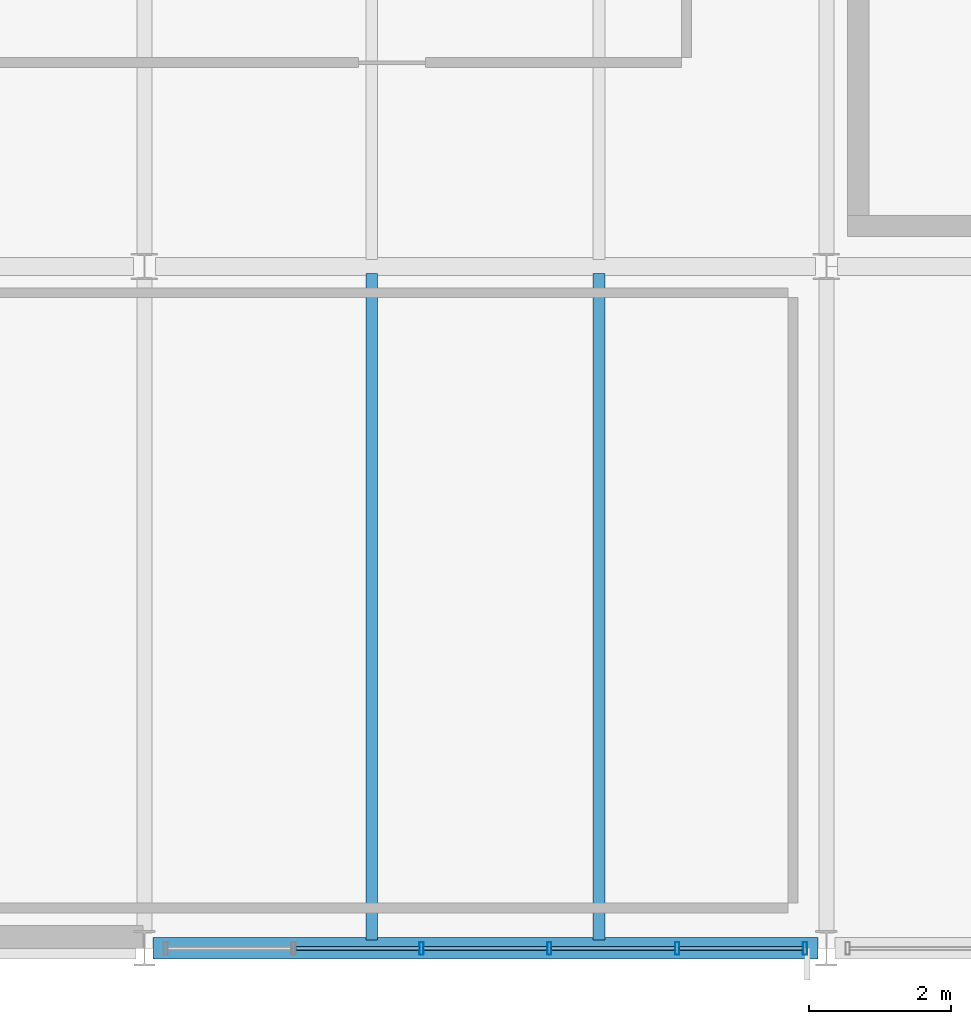
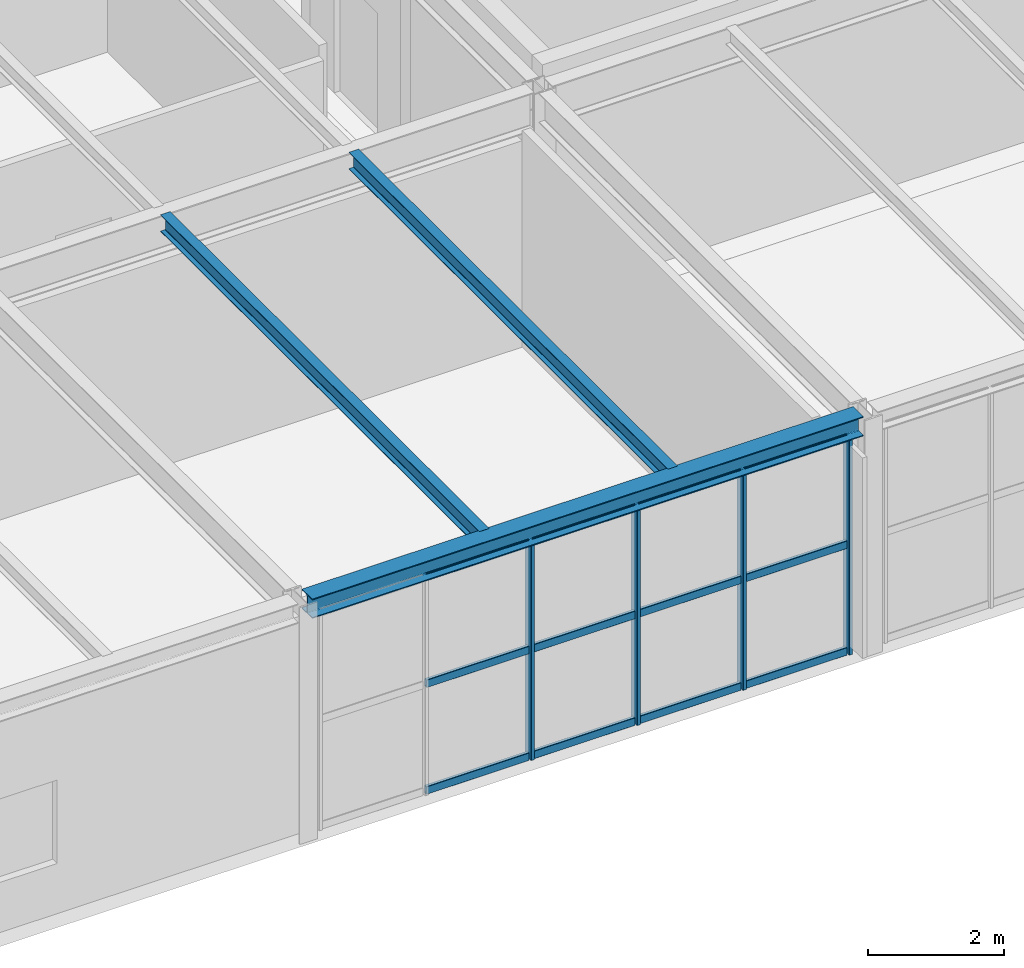
# One storey, part 30 of 170: 16 members, 3 beams, 1 element without a shape of its own.
"""IFC4 building model written with IfcOpenShell, lengths in metres."""

from ifc_helpers import new_model, si_unit, direction, frame, origin, origin_2d, place, context, subcontext, project, spatial, hollow_rectangle, i_section, extrude, material, material_profile, profile_set, type_object, element, aggregate, save


model = new_model("IFC4")

# Units and contexts
model_context = context("Model", 3, precision=1e-05, world=origin(), true_north=direction((0.0, 1.0)))
body_context = subcontext(model_context, "Body", "Model", "MODEL_VIEW")
ifc_project = project(units=[si_unit("LENGTHUNIT", "METRE"), si_unit("AREAUNIT", "SQUARE_METRE"), si_unit("VOLUMEUNIT", "CUBIC_METRE"), si_unit("PLANEANGLEUNIT", "RADIAN"), si_unit("MASSUNIT", "GRAM", prefix="KILO")], contexts=[model_context])

# Site, building, storey
site_placement = place(None, origin())
site = spatial("IfcSite", under=ifc_project, at=site_placement, CompositionType="ELEMENT")
building_placement = place(site_placement, origin())
building = spatial("IfcBuilding", under=site, at=building_placement, Name="Coralgate Yard Interchange", CompositionType="ELEMENT")
storey_placement = place(building_placement, frame((0.0, 0.0, 6.0)))
storey = spatial("IfcBuildingStorey", under=building, at=storey_placement, Name="L01", CompositionType="ELEMENT", Elevation=6.0)

# Beams
ifc_material_1 = material(Name="Structural steel S355J2", Category="steel")
ifc_material_profile_1 = material_profile(ifc_material_1, i_section(OverallWidth=0.1650390625, OverallDepth=0.303466796875, WebThickness=0.006103515625, FlangeThickness=0.01025390625, FilletRadius=0.0087890625, at=origin_2d()), Name="UB 305x165x40")
ifc_profile_set_1 = profile_set([ifc_material_profile_1], Name="Structural steel S355J2")
beam_type_1 = type_object("IfcBeamType", Name="BM-SJ-1", PredefinedType="JOIST", material=ifc_profile_set_1)
for number, where, z_axis, x_axis, name in (
    (1, (41.60009765625, 0.1201171875, 4.098388671875), (0.0, 1.0, 0.0), (-1.0, 0.0, 0.0), "L01 composite floor joist 4-0-1"),
    (2, (44.800048828125, 0.1201171875, 4.098388671875), (0.0, 1.0, 0.0), (-1.0, 0.0, 0.0), "L01 composite floor joist 4-0-2"),
):
    element("IfcBeam", number, at=place(storey_placement, frame(where, z_axis=z_axis, x_axis=x_axis)), inside=storey, type_object=beam_type_1, Name=name, PredefinedType="JOIST", context=body_context, shape_type="SweptSolid", body=[
        extrude(i_section(OverallWidth=0.1650390625, OverallDepth=0.303466796875, WebThickness=0.006103515625, FlangeThickness=0.01025390625, FilletRadius=0.0087890625, at=origin_2d()), origin(), (0.0, 0.0, 1.0), 9.383056640625),
    ])
ifc_material_profile_2 = material_profile(ifc_material_1, i_section(OverallWidth=0.300048828125, OverallDepth=0.35009765625, WebThickness=0.010009765625, FlangeThickness=0.017578125, FilletRadius=0.027099609375, at=origin_2d()), Name="HEA 360")
ifc_profile_set_2 = profile_set([ifc_material_profile_2], Name="Structural steel S355J2")
beam_type_2 = type_object("IfcBeamType", Name="BM-SP-1", PredefinedType="SPANDREL", material=ifc_profile_set_2)
beam_placement = place(storey_placement, frame((38.52001953125, 0.0, 4.074951171875), z_axis=(1.0, 0.0, 0.0), x_axis=(0.0, 1.0, 0.0)))
element("IfcBeam", 3, at=beam_placement, inside=storey, type_object=beam_type_2, Name="L01 primary grid beam Y0 X4-5", PredefinedType="SPANDREL", context=body_context, shape_type="SweptSolid", body=[
    extrude(i_section(OverallWidth=0.300048828125, OverallDepth=0.35009765625, WebThickness=0.010009765625, FlangeThickness=0.017578125, FilletRadius=0.027099609375, at=origin_2d()), origin(), (0.0, 0.0, 1.0), 9.35986328125),
])

# Curtain wall, members
ifc_material_2 = material(Name="Anodised coastal aluminium and solar-control low-E glass", Category="aluminium")
curtain_wall_type = type_object("IfcCurtainWallType", Name="CW-CW-L01-B", PredefinedType="NOTDEFINED", material=ifc_material_2)
curtain_wall_placement = place(storey_placement, origin())
curtain_wall = element("IfcCurtainWall", 4, at=curtain_wall_placement, inside=storey, type_object=curtain_wall_type, Name="L01 unitised curtain wall CW-L01-S-04-00", PredefinedType="NOTDEFINED")
ifc_material_3 = material(Name="Anodised coastal aluminium 6063-T6", Category="aluminium")
ifc_material_profile_3 = material_profile(ifc_material_3, hollow_rectangle(XDim=0.06005859375, YDim=0.179931640625, WallThickness=0.00390625, InnerFilletRadius=0.00390625, OuterFilletRadius=0.008056640625, at=origin_2d()), Name="ALU 60x180x4")
ifc_profile_set_3 = profile_set([ifc_material_profile_3], Name="Anodised coastal aluminium 6063-T6")
member_type_1 = type_object("IfcMemberType", Name="MB-MUL-180", PredefinedType="MULLION", material=ifc_profile_set_3)
member_1_placement = place(storey_placement, frame((47.699951171875, 0.0, 0.0), z_axis=(0.0, 0.0, 1.0), x_axis=(1.0, 0.0, 0.0)))
member_1 = element("IfcMember", 5, at=member_1_placement, type_object=member_type_1, Name="CW-L01-S-04-00 vertical mullion 1", PredefinedType="MULLION", context=body_context, shape_type="SweptSolid", body=[
    extrude(hollow_rectangle(XDim=0.06005859375, YDim=0.179931640625, WallThickness=0.00390625, InnerFilletRadius=0.00390625, OuterFilletRadius=0.008056640625, at=origin_2d()), origin(), (0.0, 0.0, 1.0), 3.89990234375),
])
member_2_placement = place(storey_placement, frame((45.89990234375, 0.0, 0.0), z_axis=(0.0, 0.0, 1.0), x_axis=(1.0, 0.0, 0.0)))
member_2 = element("IfcMember", 6, at=member_2_placement, type_object=member_type_1, Name="CW-L01-S-04-00 vertical mullion 2", PredefinedType="MULLION", context=body_context, shape_type="SweptSolid", body=[
    extrude(hollow_rectangle(XDim=0.06005859375, YDim=0.179931640625, WallThickness=0.00390625, InnerFilletRadius=0.00390625, OuterFilletRadius=0.008056640625, at=origin_2d()), origin(), (0.0, 0.0, 1.0), 3.89990234375),
])
member_3_placement = place(storey_placement, frame((44.10009765625, 0.0, 0.0), z_axis=(0.0, 0.0, 1.0), x_axis=(1.0, 0.0, 0.0)))
member_3 = element("IfcMember", 7, at=member_3_placement, type_object=member_type_1, Name="CW-L01-S-04-00 vertical mullion 3", PredefinedType="MULLION", context=body_context, shape_type="SweptSolid", body=[
    extrude(hollow_rectangle(XDim=0.06005859375, YDim=0.179931640625, WallThickness=0.00390625, InnerFilletRadius=0.00390625, OuterFilletRadius=0.008056640625, at=origin_2d()), origin(), (0.0, 0.0, 1.0), 3.89990234375),
])
member_4_placement = place(storey_placement, frame((42.300048828125, 0.0, 0.0), z_axis=(0.0, 0.0, 1.0), x_axis=(1.0, 0.0, 0.0)))
member_4 = element("IfcMember", 8, at=member_4_placement, type_object=member_type_1, Name="CW-L01-S-04-00 vertical mullion 4", PredefinedType="MULLION", context=body_context, shape_type="SweptSolid", body=[
    extrude(hollow_rectangle(XDim=0.06005859375, YDim=0.179931640625, WallThickness=0.00390625, InnerFilletRadius=0.00390625, OuterFilletRadius=0.008056640625, at=origin_2d()), origin(), (0.0, 0.0, 1.0), 3.89990234375),
])
ifc_material_profile_4 = material_profile(ifc_material_3, hollow_rectangle(XDim=0.06005859375, YDim=0.139892578125, WallThickness=0.00341796875, InnerFilletRadius=0.00341796875, OuterFilletRadius=0.007080078125, at=origin_2d()), Name="ALU 60x140x3.5")
ifc_profile_set_4 = profile_set([ifc_material_profile_4], Name="Anodised coastal aluminium 6063-T6")
member_type_2 = type_object("IfcMemberType", Name="MB-TRN-140", PredefinedType="USERDEFINED", material=ifc_profile_set_4)
member_5_placement = place(storey_placement, frame((47.669921875, 0.0, 0.034912109375), z_axis=(-1.0, 0.0, 0.0), x_axis=(0.0, -1.0, 0.0)))
member_5 = element("IfcMember", 9, at=member_5_placement, type_object=member_type_2, Name="CW-L01-S-04-00 horizontal transom 1-1", ObjectType="TRANSOM", PredefinedType="USERDEFINED", context=body_context, shape_type="SweptSolid", body=[
    extrude(hollow_rectangle(XDim=0.06005859375, YDim=0.139892578125, WallThickness=0.00341796875, InnerFilletRadius=0.00341796875, OuterFilletRadius=0.007080078125, at=origin_2d()), origin(), (0.0, 0.0, 1.0), 1.739990234375),
])
member_6_placement = place(storey_placement, frame((47.669921875, 0.0, 1.949951171875), z_axis=(-1.0, 0.0, 0.0), x_axis=(0.0, -1.0, 0.0)))
member_6 = element("IfcMember", 10, at=member_6_placement, type_object=member_type_2, Name="CW-L01-S-04-00 horizontal transom 1-2", ObjectType="TRANSOM", PredefinedType="USERDEFINED", context=body_context, shape_type="SweptSolid", body=[
    extrude(hollow_rectangle(XDim=0.06005859375, YDim=0.139892578125, WallThickness=0.00341796875, InnerFilletRadius=0.00341796875, OuterFilletRadius=0.007080078125, at=origin_2d()), origin(), (0.0, 0.0, 1.0), 1.739990234375),
])
member_7_placement = place(storey_placement, frame((47.669921875, 0.0, 3.864990234375), z_axis=(-1.0, 0.0, 0.0), x_axis=(0.0, -1.0, 0.0)))
member_7 = element("IfcMember", 11, at=member_7_placement, type_object=member_type_2, Name="CW-L01-S-04-00 horizontal transom 1-3", ObjectType="TRANSOM", PredefinedType="USERDEFINED", context=body_context, shape_type="SweptSolid", body=[
    extrude(hollow_rectangle(XDim=0.06005859375, YDim=0.139892578125, WallThickness=0.00341796875, InnerFilletRadius=0.00341796875, OuterFilletRadius=0.007080078125, at=origin_2d()), origin(), (0.0, 0.0, 1.0), 1.739990234375),
])
member_8_placement = place(storey_placement, frame((45.8701171875, 0.0, 0.034912109375), z_axis=(-1.0, 0.0, 0.0), x_axis=(0.0, -1.0, 0.0)))
member_8 = element("IfcMember", 12, at=member_8_placement, type_object=member_type_2, Name="CW-L01-S-04-00 horizontal transom 2-1", ObjectType="TRANSOM", PredefinedType="USERDEFINED", context=body_context, shape_type="SweptSolid", body=[
    extrude(hollow_rectangle(XDim=0.06005859375, YDim=0.139892578125, WallThickness=0.00341796875, InnerFilletRadius=0.00341796875, OuterFilletRadius=0.007080078125, at=origin_2d()), origin(), (0.0, 0.0, 1.0), 1.740234375),
])
member_9_placement = place(storey_placement, frame((45.8701171875, 0.0, 1.949951171875), z_axis=(-1.0, 0.0, 0.0), x_axis=(0.0, -1.0, 0.0)))
member_9 = element("IfcMember", 13, at=member_9_placement, type_object=member_type_2, Name="CW-L01-S-04-00 horizontal transom 2-2", ObjectType="TRANSOM", PredefinedType="USERDEFINED", context=body_context, shape_type="SweptSolid", body=[
    extrude(hollow_rectangle(XDim=0.06005859375, YDim=0.139892578125, WallThickness=0.00341796875, InnerFilletRadius=0.00341796875, OuterFilletRadius=0.007080078125, at=origin_2d()), origin(), (0.0, 0.0, 1.0), 1.740234375),
])
member_10_placement = place(storey_placement, frame((45.8701171875, 0.0, 3.864990234375), z_axis=(-1.0, 0.0, 0.0), x_axis=(0.0, -1.0, 0.0)))
member_10 = element("IfcMember", 14, at=member_10_placement, type_object=member_type_2, Name="CW-L01-S-04-00 horizontal transom 2-3", ObjectType="TRANSOM", PredefinedType="USERDEFINED", context=body_context, shape_type="SweptSolid", body=[
    extrude(hollow_rectangle(XDim=0.06005859375, YDim=0.139892578125, WallThickness=0.00341796875, InnerFilletRadius=0.00341796875, OuterFilletRadius=0.007080078125, at=origin_2d()), origin(), (0.0, 0.0, 1.0), 1.740234375),
])
member_11_placement = place(storey_placement, frame((44.070068359375, 0.0, 0.034912109375), z_axis=(-1.0, 0.0, 0.0), x_axis=(0.0, -1.0, 0.0)))
member_11 = element("IfcMember", 15, at=member_11_placement, type_object=member_type_2, Name="CW-L01-S-04-00 horizontal transom 3-1", ObjectType="TRANSOM", PredefinedType="USERDEFINED", context=body_context, shape_type="SweptSolid", body=[
    extrude(hollow_rectangle(XDim=0.06005859375, YDim=0.139892578125, WallThickness=0.00341796875, InnerFilletRadius=0.00341796875, OuterFilletRadius=0.007080078125, at=origin_2d()), origin(), (0.0, 0.0, 1.0), 1.739990234375),
])
member_12_placement = place(storey_placement, frame((44.070068359375, 0.0, 1.949951171875), z_axis=(-1.0, 0.0, 0.0), x_axis=(0.0, -1.0, 0.0)))
member_12 = element("IfcMember", 16, at=member_12_placement, type_object=member_type_2, Name="CW-L01-S-04-00 horizontal transom 3-2", ObjectType="TRANSOM", PredefinedType="USERDEFINED", context=body_context, shape_type="SweptSolid", body=[
    extrude(hollow_rectangle(XDim=0.06005859375, YDim=0.139892578125, WallThickness=0.00341796875, InnerFilletRadius=0.00341796875, OuterFilletRadius=0.007080078125, at=origin_2d()), origin(), (0.0, 0.0, 1.0), 1.739990234375),
])
member_13_placement = place(storey_placement, frame((44.070068359375, 0.0, 3.864990234375), z_axis=(-1.0, 0.0, 0.0), x_axis=(0.0, -1.0, 0.0)))
member_13 = element("IfcMember", 17, at=member_13_placement, type_object=member_type_2, Name="CW-L01-S-04-00 horizontal transom 3-3", ObjectType="TRANSOM", PredefinedType="USERDEFINED", context=body_context, shape_type="SweptSolid", body=[
    extrude(hollow_rectangle(XDim=0.06005859375, YDim=0.139892578125, WallThickness=0.00341796875, InnerFilletRadius=0.00341796875, OuterFilletRadius=0.007080078125, at=origin_2d()), origin(), (0.0, 0.0, 1.0), 1.739990234375),
])
member_14_placement = place(storey_placement, frame((42.27001953125, 0.0, 0.034912109375), z_axis=(-1.0, 0.0, 0.0), x_axis=(0.0, -1.0, 0.0)))
member_14 = element("IfcMember", 18, at=member_14_placement, type_object=member_type_2, Name="CW-L01-S-04-00 horizontal transom 4-1", ObjectType="TRANSOM", PredefinedType="USERDEFINED", context=body_context, shape_type="SweptSolid", body=[
    extrude(hollow_rectangle(XDim=0.06005859375, YDim=0.139892578125, WallThickness=0.00341796875, InnerFilletRadius=0.00341796875, OuterFilletRadius=0.007080078125, at=origin_2d()), origin(), (0.0, 0.0, 1.0), 1.739990234375),
])
member_15_placement = place(storey_placement, frame((42.27001953125, 0.0, 1.949951171875), z_axis=(-1.0, 0.0, 0.0), x_axis=(0.0, -1.0, 0.0)))
member_15 = element("IfcMember", 19, at=member_15_placement, type_object=member_type_2, Name="CW-L01-S-04-00 horizontal transom 4-2", ObjectType="TRANSOM", PredefinedType="USERDEFINED", context=body_context, shape_type="SweptSolid", body=[
    extrude(hollow_rectangle(XDim=0.06005859375, YDim=0.139892578125, WallThickness=0.00341796875, InnerFilletRadius=0.00341796875, OuterFilletRadius=0.007080078125, at=origin_2d()), origin(), (0.0, 0.0, 1.0), 1.739990234375),
])
member_16_placement = place(storey_placement, frame((42.27001953125, 0.0, 3.864990234375), z_axis=(-1.0, 0.0, 0.0), x_axis=(0.0, -1.0, 0.0)))
member_16 = element("IfcMember", 20, at=member_16_placement, type_object=member_type_2, Name="CW-L01-S-04-00 horizontal transom 4-3", ObjectType="TRANSOM", PredefinedType="USERDEFINED", context=body_context, shape_type="SweptSolid", body=[
    extrude(hollow_rectangle(XDim=0.06005859375, YDim=0.139892578125, WallThickness=0.00341796875, InnerFilletRadius=0.00341796875, OuterFilletRadius=0.007080078125, at=origin_2d()), origin(), (0.0, 0.0, 1.0), 1.739990234375),
])
aggregate(curtain_wall, [member_1, member_2, member_3, member_4, member_5, member_6, member_7, member_8, member_9, member_10, member_11, member_12, member_13, member_14, member_15, member_16])

save(model, "model.ifc")
